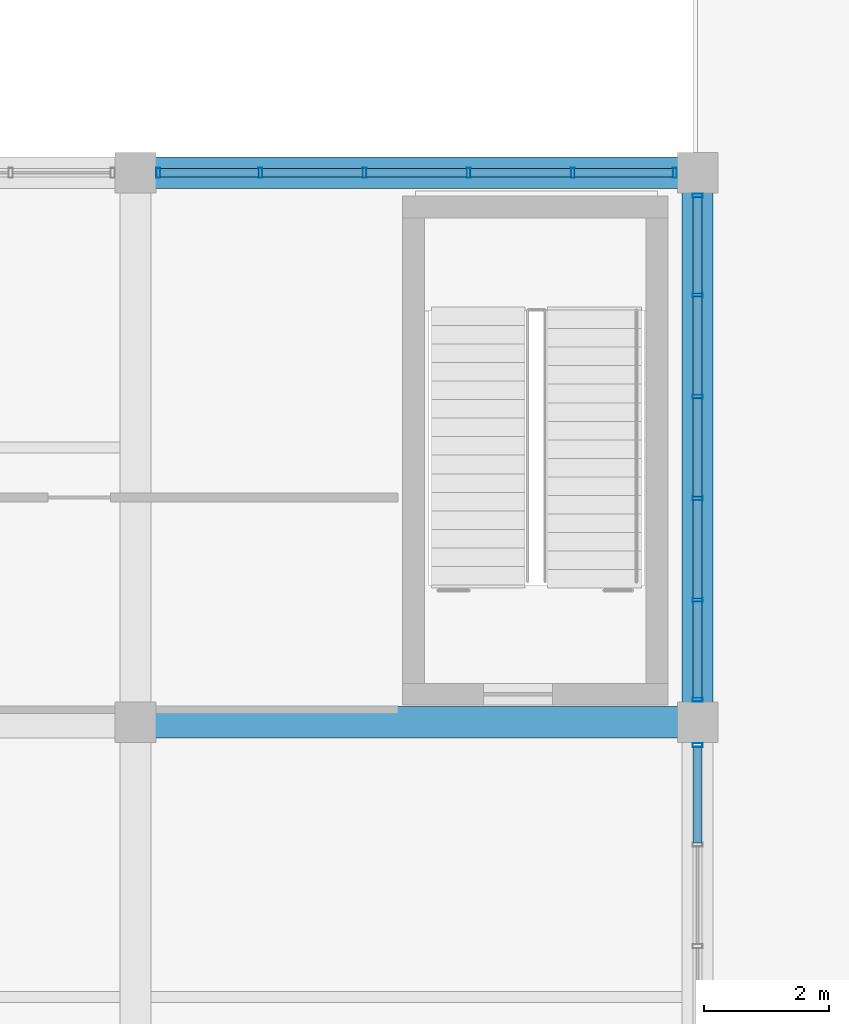
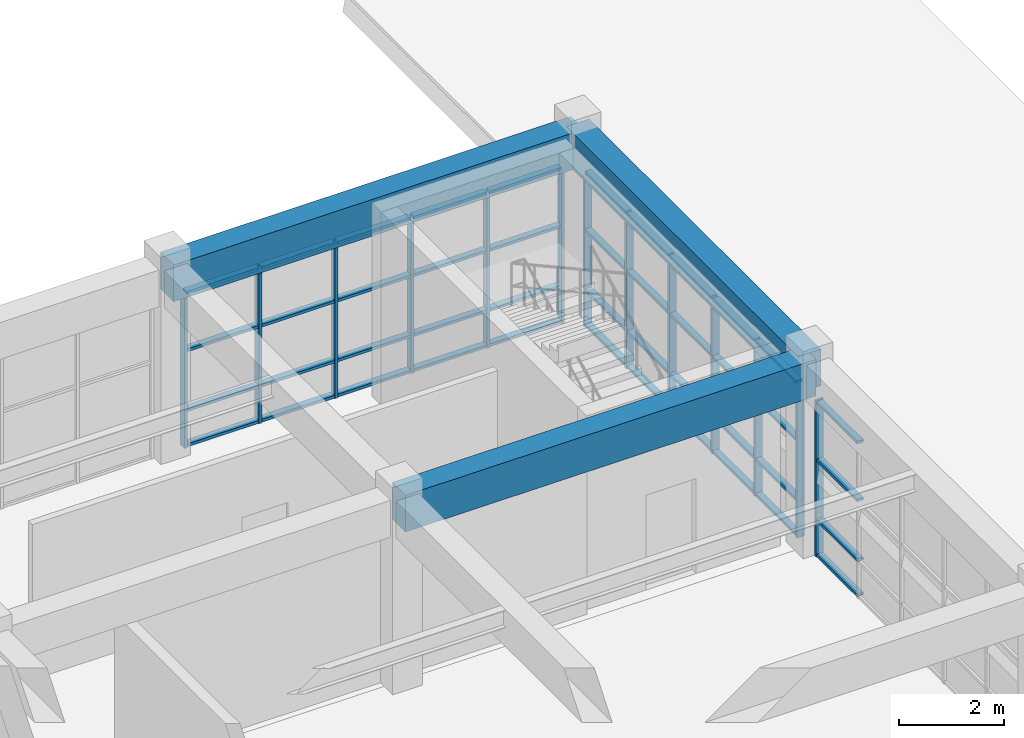
# One storey, part 14 of 99: 57 members, 3 beams, 3 elements without a shape of their own.
"""IFC4 building model written with IfcOpenShell, lengths in metres."""

import ifcopenshell
import ifcopenshell.guid

model = None  # the IFC model being written
_history = None  # IfcOwnerHistory: only IFC2X3 demands one
_inside = {}  # id of a spatial element -> (the spatial element, [elements in it])
_under = {}  # id of a project, library or spatial element -> (it, [spatial elements below it])
_declared = {}  # id of a project -> (the project, [libraries it declares])
_typed = {}  # id of a type object -> (the type object, [elements of that type])
_made_of = {}  # id of a material, layer set ... -> (it, [elements and type objects made of it])


def new_model(schema):
    """Start an empty IFC model of exactly this schema.

    Asked for "IFC4X3", IfcOpenShell would pick the latest addendum, in which some entities
    have other attributes; the version numbers below select the first issue.
    IFC2X3 requires an IfcOwnerHistory on every rooted entity: one is made here for all.
    """
    global model, _history
    if schema == "IFC4X3":
        model = ifcopenshell.file(schema_version=(4, 3, 0, 0))
    else:
        model = ifcopenshell.file(schema=schema)
    _inside.clear()
    _under.clear()
    _declared.clear()
    _typed.clear()
    _made_of.clear()
    _history = None
    if model.schema == "IFC2X3":
        org = make("IfcOrganization", Name="unknown")
        user = make(
            "IfcPersonAndOrganization",
            ThePerson=make("IfcPerson", FamilyName="unknown"),
            TheOrganization=org,
        )
        app = make(
            "IfcApplication",
            ApplicationDeveloper=org,
            Version="unknown",
            ApplicationFullName="unknown",
            ApplicationIdentifier="unknown",
        )
        _history = make(
            "IfcOwnerHistory",
            OwningUser=user,
            OwningApplication=app,
            ChangeAction="ADDED",
            CreationDate=0,
        )
    return model


def make(cls, **values):
    """One entity of the class cls with the attributes given. An attribute that is None is left unset."""
    return model.create_entity(
        cls, **{name: value for name, value in values.items() if value is not None}
    )


def rooted(cls, **values):
    """An entity with a GlobalId (a new one), such as an element, a storey or a relation."""
    return make(cls, GlobalId=ifcopenshell.guid.new(), OwnerHistory=_history, **values)


def si_unit(unit_type, name, prefix=None):
    """IfcSIUnit, for example si_unit("LENGTHUNIT", "METRE", prefix="MILLI")."""
    return make("IfcSIUnit", UnitType=unit_type, Prefix=prefix, Name=name)


def assignment(units):
    """IfcUnitAssignment: the units of a project."""
    return None if units is None else make("IfcUnitAssignment", Units=units)


def point(xyz):
    """IfcCartesianPoint."""
    return None if xyz is None else make("IfcCartesianPoint", Coordinates=xyz)


def direction(xyz):
    """IfcDirection."""
    return None if xyz is None else make("IfcDirection", DirectionRatios=xyz)


def frame(location, z_axis=None, x_axis=None):
    """IfcAxis2Placement3D, a coordinate frame: its origin and axes. An axis left out is left unset."""
    return make(
        "IfcAxis2Placement3D",
        Location=point(location),
        Axis=direction(z_axis),
        RefDirection=direction(x_axis),
    )


def frame_2d(location, x_axis=None):
    """IfcAxis2Placement2D, a coordinate frame in the plane: its origin and x axis."""
    return make(
        "IfcAxis2Placement2D", Location=point(location), RefDirection=direction(x_axis)
    )


def origin():
    """The frame at (0, 0, 0) with its axes left unset."""
    return frame((0.0, 0.0, 0.0))


def origin_2d():
    """The frame at (0, 0) in the plane with its x axis left unset."""
    return frame_2d((0.0, 0.0))


def place(relative_to, where):
    """IfcLocalPlacement: puts the frame where relative to a parent placement (None: the world)."""
    return make(
        "IfcLocalPlacement", PlacementRelTo=relative_to, RelativePlacement=where
    )


def context(
    kind, dimensions, precision=None, world=None, true_north=None, identifier=None
):
    """IfcGeometricRepresentationContext, for example the 3D "Model" context."""
    return make(
        "IfcGeometricRepresentationContext",
        ContextIdentifier=identifier,
        ContextType=kind,
        CoordinateSpaceDimension=dimensions,
        Precision=precision,
        WorldCoordinateSystem=world,
        TrueNorth=true_north,
    )


def subcontext(parent, identifier, kind, view, scale=None):
    """IfcGeometricRepresentationSubContext, for example "Body" below "Model"."""
    return make(
        "IfcGeometricRepresentationSubContext",
        ContextIdentifier=identifier,
        ContextType=kind,
        ParentContext=parent,
        TargetScale=scale,
        TargetView=view,
    )


def project(units=None, contexts=None):
    """IfcProject with its units and contexts."""
    return rooted(
        "IfcProject",
        Name="project",
        RepresentationContexts=contexts,
        UnitsInContext=assignment(units),
    )


def spatial(cls, under=None, at=None, **own):
    """A site, building, storey or space (cls), placed at a placement, below another one or the project."""
    s = rooted(cls, ObjectPlacement=at, **own)
    if under is not None:
        _under.setdefault(under.id(), (under, []))[1].append(s)
    return s


def profile(cls, at=None, kind="AREA", **sizes):
    """A parametric profile (cls). Its sizes go by their IFC names, for example OverallWidth=200.0."""
    return make(cls, ProfileType=kind, Position=at, **sizes)


def rectangle(**sizes):
    """IfcRectangleProfileDef."""
    return profile("IfcRectangleProfileDef", **sizes)


def hollow_rectangle(**sizes):
    """IfcRectangleHollowProfileDef."""
    return profile("IfcRectangleHollowProfileDef", **sizes)


def extrude(swept, where, along, depth):
    """IfcExtrudedAreaSolid: the profile swept, set in the frame where, extruded along a direction by depth."""
    return make(
        "IfcExtrudedAreaSolid",
        SweptArea=swept,
        Position=where,
        ExtrudedDirection=direction(along),
        Depth=depth,
    )


def shape(context_of_items, identifier, shape_type, items):
    """IfcShapeRepresentation: the items that make up one representation, for example the "Body"."""
    return make(
        "IfcShapeRepresentation",
        ContextOfItems=context_of_items,
        RepresentationIdentifier=identifier,
        RepresentationType=shape_type,
        Items=items,
    )


def material(Name=None, Category=None):
    """IfcMaterial."""
    return make("IfcMaterial", Name=Name, Category=Category)


def layer(
    of_material, thickness, ventilated=None, Name=None, Category=None, Priority=None
):
    """IfcMaterialLayer: one layer of a wall or slab, of a material (None: an air gap)."""
    return make(
        "IfcMaterialLayer",
        Material=of_material,
        LayerThickness=thickness,
        IsVentilated=ventilated,
        Name=Name,
        Category=Category,
        Priority=Priority,
    )


def layer_set(layers, Name=None):
    """IfcMaterialLayerSet."""
    return make("IfcMaterialLayerSet", MaterialLayers=layers, LayerSetName=Name)


def material_profile(
    of_material, cross_section, Name=None, Category=None, Priority=None
):
    """IfcMaterialProfile: a cross section and its material."""
    return make(
        "IfcMaterialProfile",
        Name=Name,
        Material=of_material,
        Profile=cross_section,
        Priority=Priority,
        Category=Category,
    )


def profile_set(profiles, Name=None, composite=None):
    """IfcMaterialProfileSet."""
    return make(
        "IfcMaterialProfileSet",
        Name=Name,
        MaterialProfiles=profiles,
        CompositeProfile=composite,
    )


def made_of(thing, what):
    """Note that an element or type object is made of a material, layer set ...; save() writes the relation."""
    if what is not None:
        _made_of.setdefault(what.id(), (what, []))[1].append(thing)
    return thing


def type_object(cls, material=None, **own):
    """A type object (cls), such as IfcWallType, which elements share."""
    return made_of(rooted(cls, **own), material)


def element(
    cls,
    number,
    at=None,
    inside=None,
    cuts=None,
    type_object=None,
    material=None,
    context=None,
    identifier="Body",
    shape_type=None,
    held_by="IfcProductDefinitionShape",
    body=None,
    shapes=None,
    **own,
):
    """One element of the class cls, such as IfcWall. Its Tag is "e" and its number.

    at: its placement. inside: the storey or other place that contains it. cuts: it is an
    opening in that element (IfcRelVoidsElement). A single representation is given by context,
    identifier, shape_type and body (its items); several are given by shapes. held_by: the class
    of the entity that holds the representations. save() writes the other relations.
    """
    e = rooted(cls, Tag="e%d" % number, ObjectPlacement=at, **own)
    if body is not None:
        shapes = [shape(context, identifier, shape_type, body)]
    if shapes is not None:
        e.Representation = make(held_by, Representations=shapes)
    if inside is not None:
        _inside.setdefault(inside.id(), (inside, []))[1].append(e)
    if cuts is not None:
        rooted(
            "IfcRelVoidsElement", RelatingBuildingElement=cuts, RelatedOpeningElement=e
        )
    if type_object is not None:
        _typed.setdefault(type_object.id(), (type_object, []))[1].append(e)
    return made_of(e, material)


def aggregate(whole, parts):
    """IfcRelAggregates: a whole, such as a stair, and the parts it consists of."""
    return rooted("IfcRelAggregates", RelatingObject=whole, RelatedObjects=parts)


def save(model, path):
    """Write the relations noted so far, then the file.

    IfcRelAggregates (storeys below a building ...), IfcRelContainedInSpatialStructure (elements
    in a storey), IfcRelDefinesByType, IfcRelAssociatesMaterial and IfcRelDeclares: one each for
    every whole, place, type object, material and project.
    """
    for whole, parts in _under.values():
        aggregate(whole, parts)
    for where, things in _inside.values():
        rooted(
            "IfcRelContainedInSpatialStructure",
            RelatedElements=things,
            RelatingStructure=where,
        )
    for kind, things in _typed.values():
        rooted("IfcRelDefinesByType", RelatedObjects=things, RelatingType=kind)
    for what, things in _made_of.values():
        rooted("IfcRelAssociatesMaterial", RelatedObjects=things, RelatingMaterial=what)
    for by, libraries in _declared.values():
        rooted("IfcRelDeclares", RelatingContext=by, RelatedDefinitions=libraries)
    model.write(path)


model = new_model("IFC4")

# Units and contexts
model_context = context("Model", 3, precision=1e-05, world=origin(), true_north=direction((0.0, 1.0)))
body_context = subcontext(model_context, "Body", "Model", "MODEL_VIEW")
ifc_project = project(units=[si_unit("LENGTHUNIT", "METRE"), si_unit("AREAUNIT", "SQUARE_METRE"), si_unit("VOLUMEUNIT", "CUBIC_METRE"), si_unit("PLANEANGLEUNIT", "RADIAN"), si_unit("MASSUNIT", "GRAM", prefix="KILO")], contexts=[model_context])

# Site, building, storey
site_placement = place(None, origin())
site = spatial("IfcSite", under=ifc_project, at=site_placement, CompositionType="ELEMENT")
building_placement = place(site_placement, origin())
building = spatial("IfcBuilding", under=site, at=building_placement, Name="Ventoquebrada Cableway Terminal", CompositionType="ELEMENT")
storey_placement = place(building_placement, frame((0.0, 0.0, 9.60009765625)))
storey = spatial("IfcBuildingStorey", under=building, at=storey_placement, Name="L02", CompositionType="ELEMENT", Elevation=9.60009765625)

# Beams
ifc_material_1 = material(Name="Concrete C40/50", Category="concrete")
ifc_material_profile_1 = material_profile(ifc_material_1, rectangle(XDim=0.5, YDim=0.85009765625, at=origin_2d()), Name="RC-BM-500X850")
ifc_profile_set_1 = profile_set([ifc_material_profile_1], Name="Concrete C40/50")
beam_type = type_object("IfcBeamType", Name="BM-RC04", PredefinedType="BEAM", material=ifc_profile_set_1)
for number, where, z_axis, x_axis, name in (
    (1, (17.199951171875, 29.39990234375, 4.039794921875), (1.0, 0.0, 0.0), (0.0, 1.0, 0.0), "Primary frame girder FBM-0211"),
    (2, (17.199951171875, 38.199951171875, 4.039794921875), (1.0, 0.0, 0.0), (0.0, 1.0, 0.0), "Primary frame girder FBM-0214"),
):
    element("IfcBeam", number, at=place(storey_placement, frame(where, z_axis=z_axis, x_axis=x_axis)), inside=storey, type_object=beam_type, Name=name, PredefinedType="BEAM", context=body_context, shape_type="SweptSolid", body=[
        extrude(rectangle(XDim=0.5, YDim=0.85009765625, at=origin_2d()), origin(), (0.0, 0.0, 1.0), 9.0),
    ])
beam_placement = place(storey_placement, frame((26.199951171875, 29.39990234375, 4.039794921875), z_axis=(0.0, 1.0, 0.0), x_axis=(-1.0, 0.0, 0.0)))
element("IfcBeam", 3, at=beam_placement, inside=storey, type_object=beam_type, Name="Primary frame girder FBM-0228", PredefinedType="BEAM", context=body_context, shape_type="SweptSolid", body=[
    extrude(rectangle(XDim=0.5, YDim=0.85009765625, at=origin_2d()), origin(), (0.0, 0.0, 1.0), 8.800048828125),
])

# Curtain wall, member
ifc_material_2 = material(Name="Anodized thermally-broken aluminium", Category="aluminium")
ifc_layer_1 = layer(ifc_material_2, 0.159912109375)
ifc_layer_set_1 = layer_set([ifc_layer_1], Name="Anodized thermally-broken aluminium")
curtain_wall_type_1 = type_object("IfcCurtainWallType", Name="CW-T07", PredefinedType="USERDEFINED", material=ifc_layer_set_1)
curtain_wall_1_placement = place(storey_placement, origin())
curtain_wall_1 = element("IfcCurtainWall", 4, at=curtain_wall_1_placement, inside=storey, type_object=curtain_wall_type_1, Name="Unitised glazed curtain wall CW-015", ObjectType="UNITISED CURTAIN WALL", PredefinedType="USERDEFINED")
ifc_material_profile_2 = material_profile(ifc_material_2, hollow_rectangle(XDim=0.06494140625, YDim=0.159912109375, WallThickness=0.00390625, at=origin_2d()), Name="CW-MUL-65X160")
ifc_profile_set_2 = profile_set([ifc_material_profile_2], Name="Anodized thermally-broken aluminium")
member_type_1 = type_object("IfcMemberType", Name="CWM-01", PredefinedType="MULLION", material=ifc_profile_set_2)
member_1_placement = place(storey_placement, frame((26.199951171875, 29.034912109375, -0.008056640625), z_axis=(0.0, 0.0, 1.0), x_axis=(0.0, 1.0, 0.0)))
member_1 = element("IfcMember", 5, at=member_1_placement, type_object=member_type_1, Name="Curtain wall mullion FML-0067", PredefinedType="MULLION", context=body_context, shape_type="SweptSolid", body=[
    extrude(hollow_rectangle(XDim=0.06494140625, YDim=0.159912109375, WallThickness=0.00390625, at=origin_2d()), origin(), (0.0, 0.0, 1.0), 3.623046875),
])

# Curtain wall, members
curtain_wall_2_placement = place(storey_placement, origin())
curtain_wall_2 = element("IfcCurtainWall", 6, at=curtain_wall_2_placement, inside=storey, type_object=curtain_wall_type_1, Name="Unitised glazed curtain wall CW-016", ObjectType="UNITISED CURTAIN WALL", PredefinedType="USERDEFINED")
member_2_placement = place(storey_placement, frame((26.199951171875, 29.764892578125, -0.008056640625), z_axis=(0.0, 0.0, 1.0), x_axis=(0.0, 1.0, 0.0)))
member_2 = element("IfcMember", 7, at=member_2_placement, type_object=member_type_1, Name="Curtain wall mullion FML-0068", PredefinedType="MULLION", context=body_context, shape_type="SweptSolid", body=[
    extrude(hollow_rectangle(XDim=0.06494140625, YDim=0.159912109375, WallThickness=0.00390625, at=origin_2d()), origin(), (0.0, 0.0, 1.0), 3.623046875),
])
member_3_placement = place(storey_placement, frame((26.199951171875, 31.35791015625, -0.008056640625), z_axis=(0.0, 0.0, 1.0), x_axis=(0.0, 1.0, 0.0)))
member_3 = element("IfcMember", 8, at=member_3_placement, type_object=member_type_1, Name="Curtain wall mullion FML-0069", PredefinedType="MULLION", context=body_context, shape_type="SweptSolid", body=[
    extrude(hollow_rectangle(XDim=0.06494140625, YDim=0.159912109375, WallThickness=0.00390625, at=origin_2d()), origin(), (0.0, 0.0, 1.0), 3.623046875),
])
member_4_placement = place(storey_placement, frame((26.199951171875, 32.986083984375, -0.008056640625), z_axis=(0.0, 0.0, 1.0), x_axis=(0.0, 1.0, 0.0)))
member_4 = element("IfcMember", 9, at=member_4_placement, type_object=member_type_1, Name="Curtain wall mullion FML-0070", PredefinedType="MULLION", context=body_context, shape_type="SweptSolid", body=[
    extrude(hollow_rectangle(XDim=0.06494140625, YDim=0.159912109375, WallThickness=0.00390625, at=origin_2d()), origin(), (0.0, 0.0, 1.0), 3.623046875),
])
member_5_placement = place(storey_placement, frame((26.199951171875, 34.614013671875, -0.008056640625), z_axis=(0.0, 0.0, 1.0), x_axis=(0.0, 1.0, 0.0)))
member_5 = element("IfcMember", 10, at=member_5_placement, type_object=member_type_1, Name="Curtain wall mullion FML-0071", PredefinedType="MULLION", context=body_context, shape_type="SweptSolid", body=[
    extrude(hollow_rectangle(XDim=0.06494140625, YDim=0.159912109375, WallThickness=0.00390625, at=origin_2d()), origin(), (0.0, 0.0, 1.0), 3.623046875),
])
member_6_placement = place(storey_placement, frame((26.199951171875, 36.241943359375, -0.008056640625), z_axis=(0.0, 0.0, 1.0), x_axis=(0.0, 1.0, 0.0)))
member_6 = element("IfcMember", 11, at=member_6_placement, type_object=member_type_1, Name="Curtain wall mullion FML-0072", PredefinedType="MULLION", context=body_context, shape_type="SweptSolid", body=[
    extrude(hollow_rectangle(XDim=0.06494140625, YDim=0.159912109375, WallThickness=0.00390625, at=origin_2d()), origin(), (0.0, 0.0, 1.0), 3.623046875),
])
member_7_placement = place(storey_placement, frame((26.199951171875, 37.8349609375, -0.008056640625), z_axis=(0.0, 0.0, 1.0), x_axis=(0.0, 1.0, 0.0)))
member_7 = element("IfcMember", 12, at=member_7_placement, type_object=member_type_1, Name="Curtain wall mullion FML-0073", PredefinedType="MULLION", context=body_context, shape_type="SweptSolid", body=[
    extrude(hollow_rectangle(XDim=0.06494140625, YDim=0.159912109375, WallThickness=0.00390625, at=origin_2d()), origin(), (0.0, 0.0, 1.0), 3.623046875),
])

ifc_layer_2 = layer(ifc_material_2, 0.159912109375)
ifc_layer_set_2 = layer_set([ifc_layer_2], Name="Anodized thermally-broken aluminium")
curtain_wall_type_2 = type_object("IfcCurtainWallType", Name="CW-T09", PredefinedType="USERDEFINED", material=ifc_layer_set_2)
curtain_wall_3_placement = place(storey_placement, origin())
curtain_wall_3 = element("IfcCurtainWall", 13, at=curtain_wall_3_placement, inside=storey, type_object=curtain_wall_type_2, Name="Unitised glazed curtain wall CW-019", ObjectType="UNITISED CURTAIN WALL", PredefinedType="USERDEFINED")
member_8_placement = place(storey_placement, frame((25.8349609375, 38.199951171875, -0.008056640625), z_axis=(0.0, 0.0, 1.0), x_axis=(-1.0, 0.0, 0.0)))
member_8 = element("IfcMember", 14, at=member_8_placement, type_object=member_type_1, Name="Curtain wall mullion FML-0084", PredefinedType="MULLION", context=body_context, shape_type="SweptSolid", body=[
    extrude(hollow_rectangle(XDim=0.06494140625, YDim=0.159912109375, WallThickness=0.00390625, at=origin_2d()), origin(), (0.0, 0.0, 1.0), 3.623046875),
])
member_9_placement = place(storey_placement, frame((24.201904296875, 38.199951171875, -0.008056640625), z_axis=(0.0, 0.0, 1.0), x_axis=(-1.0, 0.0, 0.0)))
member_9 = element("IfcMember", 15, at=member_9_placement, type_object=member_type_1, Name="Curtain wall mullion FML-0085", PredefinedType="MULLION", context=body_context, shape_type="SweptSolid", body=[
    extrude(hollow_rectangle(XDim=0.06494140625, YDim=0.159912109375, WallThickness=0.00390625, at=origin_2d()), origin(), (0.0, 0.0, 1.0), 3.623046875),
])
member_10_placement = place(storey_placement, frame((22.533935546875, 38.199951171875, -0.008056640625), z_axis=(0.0, 0.0, 1.0), x_axis=(-1.0, 0.0, 0.0)))
member_10 = element("IfcMember", 16, at=member_10_placement, type_object=member_type_1, Name="Curtain wall mullion FML-0086", PredefinedType="MULLION", context=body_context, shape_type="SweptSolid", body=[
    extrude(hollow_rectangle(XDim=0.06494140625, YDim=0.159912109375, WallThickness=0.00390625, at=origin_2d()), origin(), (0.0, 0.0, 1.0), 3.623046875),
])
member_11_placement = place(storey_placement, frame((20.865966796875, 38.199951171875, -0.008056640625), z_axis=(0.0, 0.0, 1.0), x_axis=(-1.0, 0.0, 0.0)))
member_11 = element("IfcMember", 17, at=member_11_placement, type_object=member_type_1, Name="Curtain wall mullion FML-0087", PredefinedType="MULLION", context=body_context, shape_type="SweptSolid", body=[
    extrude(hollow_rectangle(XDim=0.06494140625, YDim=0.159912109375, WallThickness=0.00390625, at=origin_2d()), origin(), (0.0, 0.0, 1.0), 3.623046875),
])
member_12_placement = place(storey_placement, frame((19.197998046875, 38.199951171875, -0.008056640625), z_axis=(0.0, 0.0, 1.0), x_axis=(-1.0, 0.0, 0.0)))
member_12 = element("IfcMember", 18, at=member_12_placement, type_object=member_type_1, Name="Curtain wall mullion FML-0088", PredefinedType="MULLION", context=body_context, shape_type="SweptSolid", body=[
    extrude(hollow_rectangle(XDim=0.06494140625, YDim=0.159912109375, WallThickness=0.00390625, at=origin_2d()), origin(), (0.0, 0.0, 1.0), 3.623046875),
])
member_13_placement = place(storey_placement, frame((17.56494140625, 38.199951171875, -0.008056640625), z_axis=(0.0, 0.0, 1.0), x_axis=(-1.0, 0.0, 0.0)))
member_13 = element("IfcMember", 19, at=member_13_placement, type_object=member_type_1, Name="Curtain wall mullion FML-0089", PredefinedType="MULLION", context=body_context, shape_type="SweptSolid", body=[
    extrude(hollow_rectangle(XDim=0.06494140625, YDim=0.159912109375, WallThickness=0.00390625, at=origin_2d()), origin(), (0.0, 0.0, 1.0), 3.623046875),
])

# Member
ifc_material_profile_3 = material_profile(ifc_material_2, hollow_rectangle(XDim=0.06494140625, YDim=0.139892578125, WallThickness=0.00390625, at=origin_2d()), Name="CW-TRN-65X140")
ifc_profile_set_3 = profile_set([ifc_material_profile_3], Name="Anodized thermally-broken aluminium")
member_type_2 = type_object("IfcMemberType", Name="CWT-01", PredefinedType="USERDEFINED", material=ifc_profile_set_3)
member_14_placement = place(storey_placement, frame((26.199951171875, 27.469970703125, 0.034912109375), z_axis=(0.0, 1.0, 0.0), x_axis=(0.0, 0.0, 1.0)))
member_14 = element("IfcMember", 20, at=member_14_placement, type_object=member_type_2, Name="Curtain wall transom FTR-0196", ObjectType="TRANSOM", PredefinedType="USERDEFINED", context=body_context, shape_type="SweptSolid", body=[
    extrude(hollow_rectangle(XDim=0.06494140625, YDim=0.139892578125, WallThickness=0.00390625, at=origin_2d()), origin(), (0.0, 0.0, 1.0), 1.5380859375),
])

member_15_placement = place(storey_placement, frame((26.199951171875, 27.469970703125, 0.849853515625), z_axis=(0.0, 1.0, 0.0), x_axis=(0.0, 0.0, 1.0)))
member_15 = element("IfcMember", 21, at=member_15_placement, type_object=member_type_2, Name="Curtain wall transom FTR-0197", ObjectType="TRANSOM", PredefinedType="USERDEFINED", context=body_context, shape_type="SweptSolid", body=[
    extrude(hollow_rectangle(XDim=0.06494140625, YDim=0.139892578125, WallThickness=0.00390625, at=origin_2d()), origin(), (0.0, 0.0, 1.0), 1.5380859375),
])

member_16_placement = place(storey_placement, frame((26.199951171875, 27.469970703125, 2.23779296875), z_axis=(0.0, 1.0, 0.0), x_axis=(0.0, 0.0, 1.0)))
member_16 = element("IfcMember", 22, at=member_16_placement, type_object=member_type_2, Name="Curtain wall transom FTR-0198", ObjectType="TRANSOM", PredefinedType="USERDEFINED", context=body_context, shape_type="SweptSolid", body=[
    extrude(hollow_rectangle(XDim=0.06494140625, YDim=0.139892578125, WallThickness=0.00390625, at=origin_2d()), origin(), (0.0, 0.0, 1.0), 1.5380859375),
])

member_17_placement = place(storey_placement, frame((26.199951171875, 27.469970703125, 3.574951171875), z_axis=(0.0, 1.0, 0.0), x_axis=(0.0, 0.0, 1.0)))
member_17 = element("IfcMember", 23, at=member_17_placement, type_object=member_type_2, Name="Curtain wall transom FTR-0199", ObjectType="TRANSOM", PredefinedType="USERDEFINED", context=body_context, shape_type="SweptSolid", body=[
    extrude(hollow_rectangle(XDim=0.06494140625, YDim=0.139892578125, WallThickness=0.00390625, at=origin_2d()), origin(), (0.0, 0.0, 1.0), 1.5380859375),
])

aggregate(curtain_wall_1, [member_1, member_14, member_15, member_16, member_17])

member_18_placement = place(storey_placement, frame((26.199951171875, 29.79296875, 0.034912109375), z_axis=(0.0, 1.0, 0.0), x_axis=(0.0, 0.0, 1.0)))
member_18 = element("IfcMember", 24, at=member_18_placement, type_object=member_type_2, Name="Curtain wall transom FTR-0200", ObjectType="TRANSOM", PredefinedType="USERDEFINED", context=body_context, shape_type="SweptSolid", body=[
    extrude(hollow_rectangle(XDim=0.06494140625, YDim=0.139892578125, WallThickness=0.00390625, at=origin_2d()), origin(), (0.0, 0.0, 1.0), 1.5380859375),
])

member_19_placement = place(storey_placement, frame((26.199951171875, 29.79296875, 0.849853515625), z_axis=(0.0, 1.0, 0.0), x_axis=(0.0, 0.0, 1.0)))
member_19 = element("IfcMember", 25, at=member_19_placement, type_object=member_type_2, Name="Curtain wall transom FTR-0201", ObjectType="TRANSOM", PredefinedType="USERDEFINED", context=body_context, shape_type="SweptSolid", body=[
    extrude(hollow_rectangle(XDim=0.06494140625, YDim=0.139892578125, WallThickness=0.00390625, at=origin_2d()), origin(), (0.0, 0.0, 1.0), 1.5380859375),
])

member_20_placement = place(storey_placement, frame((26.199951171875, 29.79296875, 2.23779296875), z_axis=(0.0, 1.0, 0.0), x_axis=(0.0, 0.0, 1.0)))
member_20 = element("IfcMember", 26, at=member_20_placement, type_object=member_type_2, Name="Curtain wall transom FTR-0202", ObjectType="TRANSOM", PredefinedType="USERDEFINED", context=body_context, shape_type="SweptSolid", body=[
    extrude(hollow_rectangle(XDim=0.06494140625, YDim=0.139892578125, WallThickness=0.00390625, at=origin_2d()), origin(), (0.0, 0.0, 1.0), 1.5380859375),
])

member_21_placement = place(storey_placement, frame((26.199951171875, 29.79296875, 3.574951171875), z_axis=(0.0, 1.0, 0.0), x_axis=(0.0, 0.0, 1.0)))
member_21 = element("IfcMember", 27, at=member_21_placement, type_object=member_type_2, Name="Curtain wall transom FTR-0203", ObjectType="TRANSOM", PredefinedType="USERDEFINED", context=body_context, shape_type="SweptSolid", body=[
    extrude(hollow_rectangle(XDim=0.06494140625, YDim=0.139892578125, WallThickness=0.00390625, at=origin_2d()), origin(), (0.0, 0.0, 1.0), 1.5380859375),
])

member_22_placement = place(storey_placement, frame((26.199951171875, 31.385986328125, 0.034912109375), z_axis=(0.0, 1.0, 0.0), x_axis=(0.0, 0.0, 1.0)))
member_22 = element("IfcMember", 28, at=member_22_placement, type_object=member_type_2, Name="Curtain wall transom FTR-0204", ObjectType="TRANSOM", PredefinedType="USERDEFINED", context=body_context, shape_type="SweptSolid", body=[
    extrude(hollow_rectangle(XDim=0.06494140625, YDim=0.139892578125, WallThickness=0.00390625, at=origin_2d()), origin(), (0.0, 0.0, 1.0), 1.572998046875),
])

member_23_placement = place(storey_placement, frame((26.199951171875, 31.385986328125, 0.849853515625), z_axis=(0.0, 1.0, 0.0), x_axis=(0.0, 0.0, 1.0)))
member_23 = element("IfcMember", 29, at=member_23_placement, type_object=member_type_2, Name="Curtain wall transom FTR-0205", ObjectType="TRANSOM", PredefinedType="USERDEFINED", context=body_context, shape_type="SweptSolid", body=[
    extrude(hollow_rectangle(XDim=0.06494140625, YDim=0.139892578125, WallThickness=0.00390625, at=origin_2d()), origin(), (0.0, 0.0, 1.0), 1.572998046875),
])

member_24_placement = place(storey_placement, frame((26.199951171875, 31.385986328125, 2.23779296875), z_axis=(0.0, 1.0, 0.0), x_axis=(0.0, 0.0, 1.0)))
member_24 = element("IfcMember", 30, at=member_24_placement, type_object=member_type_2, Name="Curtain wall transom FTR-0206", ObjectType="TRANSOM", PredefinedType="USERDEFINED", context=body_context, shape_type="SweptSolid", body=[
    extrude(hollow_rectangle(XDim=0.06494140625, YDim=0.139892578125, WallThickness=0.00390625, at=origin_2d()), origin(), (0.0, 0.0, 1.0), 1.572998046875),
])

member_25_placement = place(storey_placement, frame((26.199951171875, 31.385986328125, 3.574951171875), z_axis=(0.0, 1.0, 0.0), x_axis=(0.0, 0.0, 1.0)))
member_25 = element("IfcMember", 31, at=member_25_placement, type_object=member_type_2, Name="Curtain wall transom FTR-0207", ObjectType="TRANSOM", PredefinedType="USERDEFINED", context=body_context, shape_type="SweptSolid", body=[
    extrude(hollow_rectangle(XDim=0.06494140625, YDim=0.139892578125, WallThickness=0.00390625, at=origin_2d()), origin(), (0.0, 0.0, 1.0), 1.572998046875),
])

member_26_placement = place(storey_placement, frame((26.199951171875, 33.013916015625, 0.034912109375), z_axis=(0.0, 1.0, 0.0), x_axis=(0.0, 0.0, 1.0)))
member_26 = element("IfcMember", 32, at=member_26_placement, type_object=member_type_2, Name="Curtain wall transom FTR-0208", ObjectType="TRANSOM", PredefinedType="USERDEFINED", context=body_context, shape_type="SweptSolid", body=[
    extrude(hollow_rectangle(XDim=0.06494140625, YDim=0.139892578125, WallThickness=0.00390625, at=origin_2d()), origin(), (0.0, 0.0, 1.0), 1.572998046875),
])

member_27_placement = place(storey_placement, frame((26.199951171875, 33.013916015625, 0.849853515625), z_axis=(0.0, 1.0, 0.0), x_axis=(0.0, 0.0, 1.0)))
member_27 = element("IfcMember", 33, at=member_27_placement, type_object=member_type_2, Name="Curtain wall transom FTR-0209", ObjectType="TRANSOM", PredefinedType="USERDEFINED", context=body_context, shape_type="SweptSolid", body=[
    extrude(hollow_rectangle(XDim=0.06494140625, YDim=0.139892578125, WallThickness=0.00390625, at=origin_2d()), origin(), (0.0, 0.0, 1.0), 1.572998046875),
])

member_28_placement = place(storey_placement, frame((26.199951171875, 33.013916015625, 2.23779296875), z_axis=(0.0, 1.0, 0.0), x_axis=(0.0, 0.0, 1.0)))
member_28 = element("IfcMember", 34, at=member_28_placement, type_object=member_type_2, Name="Curtain wall transom FTR-0210", ObjectType="TRANSOM", PredefinedType="USERDEFINED", context=body_context, shape_type="SweptSolid", body=[
    extrude(hollow_rectangle(XDim=0.06494140625, YDim=0.139892578125, WallThickness=0.00390625, at=origin_2d()), origin(), (0.0, 0.0, 1.0), 1.572998046875),
])

member_29_placement = place(storey_placement, frame((26.199951171875, 33.013916015625, 3.574951171875), z_axis=(0.0, 1.0, 0.0), x_axis=(0.0, 0.0, 1.0)))
member_29 = element("IfcMember", 35, at=member_29_placement, type_object=member_type_2, Name="Curtain wall transom FTR-0211", ObjectType="TRANSOM", PredefinedType="USERDEFINED", context=body_context, shape_type="SweptSolid", body=[
    extrude(hollow_rectangle(XDim=0.06494140625, YDim=0.139892578125, WallThickness=0.00390625, at=origin_2d()), origin(), (0.0, 0.0, 1.0), 1.572998046875),
])

member_30_placement = place(storey_placement, frame((26.199951171875, 34.64208984375, 0.034912109375), z_axis=(0.0, 1.0, 0.0), x_axis=(0.0, 0.0, 1.0)))
member_30 = element("IfcMember", 36, at=member_30_placement, type_object=member_type_2, Name="Curtain wall transom FTR-0212", ObjectType="TRANSOM", PredefinedType="USERDEFINED", context=body_context, shape_type="SweptSolid", body=[
    extrude(hollow_rectangle(XDim=0.06494140625, YDim=0.139892578125, WallThickness=0.00390625, at=origin_2d()), origin(), (0.0, 0.0, 1.0), 1.572998046875),
])

member_31_placement = place(storey_placement, frame((26.199951171875, 34.64208984375, 0.849853515625), z_axis=(0.0, 1.0, 0.0), x_axis=(0.0, 0.0, 1.0)))
member_31 = element("IfcMember", 37, at=member_31_placement, type_object=member_type_2, Name="Curtain wall transom FTR-0213", ObjectType="TRANSOM", PredefinedType="USERDEFINED", context=body_context, shape_type="SweptSolid", body=[
    extrude(hollow_rectangle(XDim=0.06494140625, YDim=0.139892578125, WallThickness=0.00390625, at=origin_2d()), origin(), (0.0, 0.0, 1.0), 1.572998046875),
])

member_32_placement = place(storey_placement, frame((26.199951171875, 34.64208984375, 2.23779296875), z_axis=(0.0, 1.0, 0.0), x_axis=(0.0, 0.0, 1.0)))
member_32 = element("IfcMember", 38, at=member_32_placement, type_object=member_type_2, Name="Curtain wall transom FTR-0214", ObjectType="TRANSOM", PredefinedType="USERDEFINED", context=body_context, shape_type="SweptSolid", body=[
    extrude(hollow_rectangle(XDim=0.06494140625, YDim=0.139892578125, WallThickness=0.00390625, at=origin_2d()), origin(), (0.0, 0.0, 1.0), 1.572998046875),
])

member_33_placement = place(storey_placement, frame((26.199951171875, 34.64208984375, 3.574951171875), z_axis=(0.0, 1.0, 0.0), x_axis=(0.0, 0.0, 1.0)))
member_33 = element("IfcMember", 39, at=member_33_placement, type_object=member_type_2, Name="Curtain wall transom FTR-0215", ObjectType="TRANSOM", PredefinedType="USERDEFINED", context=body_context, shape_type="SweptSolid", body=[
    extrude(hollow_rectangle(XDim=0.06494140625, YDim=0.139892578125, WallThickness=0.00390625, at=origin_2d()), origin(), (0.0, 0.0, 1.0), 1.572998046875),
])

member_34_placement = place(storey_placement, frame((26.199951171875, 36.27001953125, 0.034912109375), z_axis=(0.0, 1.0, 0.0), x_axis=(0.0, 0.0, 1.0)))
member_34 = element("IfcMember", 40, at=member_34_placement, type_object=member_type_2, Name="Curtain wall transom FTR-0216", ObjectType="TRANSOM", PredefinedType="USERDEFINED", context=body_context, shape_type="SweptSolid", body=[
    extrude(hollow_rectangle(XDim=0.06494140625, YDim=0.139892578125, WallThickness=0.00390625, at=origin_2d()), origin(), (0.0, 0.0, 1.0), 1.536865234375),
])

member_35_placement = place(storey_placement, frame((26.199951171875, 36.27001953125, 0.849853515625), z_axis=(0.0, 1.0, 0.0), x_axis=(0.0, 0.0, 1.0)))
member_35 = element("IfcMember", 41, at=member_35_placement, type_object=member_type_2, Name="Curtain wall transom FTR-0217", ObjectType="TRANSOM", PredefinedType="USERDEFINED", context=body_context, shape_type="SweptSolid", body=[
    extrude(hollow_rectangle(XDim=0.06494140625, YDim=0.139892578125, WallThickness=0.00390625, at=origin_2d()), origin(), (0.0, 0.0, 1.0), 1.536865234375),
])

member_36_placement = place(storey_placement, frame((26.199951171875, 36.27001953125, 2.23779296875), z_axis=(0.0, 1.0, 0.0), x_axis=(0.0, 0.0, 1.0)))
member_36 = element("IfcMember", 42, at=member_36_placement, type_object=member_type_2, Name="Curtain wall transom FTR-0218", ObjectType="TRANSOM", PredefinedType="USERDEFINED", context=body_context, shape_type="SweptSolid", body=[
    extrude(hollow_rectangle(XDim=0.06494140625, YDim=0.139892578125, WallThickness=0.00390625, at=origin_2d()), origin(), (0.0, 0.0, 1.0), 1.536865234375),
])

member_37_placement = place(storey_placement, frame((26.199951171875, 36.27001953125, 3.574951171875), z_axis=(0.0, 1.0, 0.0), x_axis=(0.0, 0.0, 1.0)))
member_37 = element("IfcMember", 43, at=member_37_placement, type_object=member_type_2, Name="Curtain wall transom FTR-0219", ObjectType="TRANSOM", PredefinedType="USERDEFINED", context=body_context, shape_type="SweptSolid", body=[
    extrude(hollow_rectangle(XDim=0.06494140625, YDim=0.139892578125, WallThickness=0.00390625, at=origin_2d()), origin(), (0.0, 0.0, 1.0), 1.536865234375),
])

aggregate(curtain_wall_2, [member_2, member_3, member_4, member_5, member_6, member_7, member_18, member_19, member_20, member_21, member_22, member_23, member_24, member_25, member_26, member_27, member_28, member_29, member_30, member_31, member_32, member_33, member_34, member_35, member_36, member_37])

member_38_placement = place(storey_placement, frame((25.80810546875, 38.199951171875, 0.034912109375), z_axis=(-1.0, 0.0, 0.0), x_axis=(0.0, 0.0, 1.0)))
member_38 = element("IfcMember", 44, at=member_38_placement, type_object=member_type_2, Name="Curtain wall transom FTR-0252", ObjectType="TRANSOM", PredefinedType="USERDEFINED", context=body_context, shape_type="SweptSolid", body=[
    extrude(hollow_rectangle(XDim=0.06494140625, YDim=0.139892578125, WallThickness=0.00390625, at=origin_2d()), origin(), (0.0, 0.0, 1.0), 1.578125),
])

member_39_placement = place(storey_placement, frame((25.80810546875, 38.199951171875, 0.849853515625), z_axis=(-1.0, 0.0, 0.0), x_axis=(0.0, 0.0, 1.0)))
member_39 = element("IfcMember", 45, at=member_39_placement, type_object=member_type_2, Name="Curtain wall transom FTR-0253", ObjectType="TRANSOM", PredefinedType="USERDEFINED", context=body_context, shape_type="SweptSolid", body=[
    extrude(hollow_rectangle(XDim=0.06494140625, YDim=0.139892578125, WallThickness=0.00390625, at=origin_2d()), origin(), (0.0, 0.0, 1.0), 1.578125),
])

member_40_placement = place(storey_placement, frame((25.80810546875, 38.199951171875, 2.23779296875), z_axis=(-1.0, 0.0, 0.0), x_axis=(0.0, 0.0, 1.0)))
member_40 = element("IfcMember", 46, at=member_40_placement, type_object=member_type_2, Name="Curtain wall transom FTR-0254", ObjectType="TRANSOM", PredefinedType="USERDEFINED", context=body_context, shape_type="SweptSolid", body=[
    extrude(hollow_rectangle(XDim=0.06494140625, YDim=0.139892578125, WallThickness=0.00390625, at=origin_2d()), origin(), (0.0, 0.0, 1.0), 1.578125),
])

member_41_placement = place(storey_placement, frame((25.80810546875, 38.199951171875, 3.574951171875), z_axis=(-1.0, 0.0, 0.0), x_axis=(0.0, 0.0, 1.0)))
member_41 = element("IfcMember", 47, at=member_41_placement, type_object=member_type_2, Name="Curtain wall transom FTR-0255", ObjectType="TRANSOM", PredefinedType="USERDEFINED", context=body_context, shape_type="SweptSolid", body=[
    extrude(hollow_rectangle(XDim=0.06494140625, YDim=0.139892578125, WallThickness=0.00390625, at=origin_2d()), origin(), (0.0, 0.0, 1.0), 1.578125),
])

member_42_placement = place(storey_placement, frame((24.175048828125, 38.199951171875, 0.034912109375), z_axis=(-1.0, 0.0, 0.0), x_axis=(0.0, 0.0, 1.0)))
member_42 = element("IfcMember", 48, at=member_42_placement, type_object=member_type_2, Name="Curtain wall transom FTR-0256", ObjectType="TRANSOM", PredefinedType="USERDEFINED", context=body_context, shape_type="SweptSolid", body=[
    extrude(hollow_rectangle(XDim=0.06494140625, YDim=0.139892578125, WallThickness=0.00390625, at=origin_2d()), origin(), (0.0, 0.0, 1.0), 1.613037109375),
])

member_43_placement = place(storey_placement, frame((24.175048828125, 38.199951171875, 0.849853515625), z_axis=(-1.0, 0.0, 0.0), x_axis=(0.0, 0.0, 1.0)))
member_43 = element("IfcMember", 49, at=member_43_placement, type_object=member_type_2, Name="Curtain wall transom FTR-0257", ObjectType="TRANSOM", PredefinedType="USERDEFINED", context=body_context, shape_type="SweptSolid", body=[
    extrude(hollow_rectangle(XDim=0.06494140625, YDim=0.139892578125, WallThickness=0.00390625, at=origin_2d()), origin(), (0.0, 0.0, 1.0), 1.613037109375),
])

member_44_placement = place(storey_placement, frame((24.175048828125, 38.199951171875, 2.23779296875), z_axis=(-1.0, 0.0, 0.0), x_axis=(0.0, 0.0, 1.0)))
member_44 = element("IfcMember", 50, at=member_44_placement, type_object=member_type_2, Name="Curtain wall transom FTR-0258", ObjectType="TRANSOM", PredefinedType="USERDEFINED", context=body_context, shape_type="SweptSolid", body=[
    extrude(hollow_rectangle(XDim=0.06494140625, YDim=0.139892578125, WallThickness=0.00390625, at=origin_2d()), origin(), (0.0, 0.0, 1.0), 1.613037109375),
])

member_45_placement = place(storey_placement, frame((24.175048828125, 38.199951171875, 3.574951171875), z_axis=(-1.0, 0.0, 0.0), x_axis=(0.0, 0.0, 1.0)))
member_45 = element("IfcMember", 51, at=member_45_placement, type_object=member_type_2, Name="Curtain wall transom FTR-0259", ObjectType="TRANSOM", PredefinedType="USERDEFINED", context=body_context, shape_type="SweptSolid", body=[
    extrude(hollow_rectangle(XDim=0.06494140625, YDim=0.139892578125, WallThickness=0.00390625, at=origin_2d()), origin(), (0.0, 0.0, 1.0), 1.613037109375),
])

member_46_placement = place(storey_placement, frame((22.507080078125, 38.199951171875, 0.034912109375), z_axis=(-1.0, 0.0, 0.0), x_axis=(0.0, 0.0, 1.0)))
member_46 = element("IfcMember", 52, at=member_46_placement, type_object=member_type_2, Name="Curtain wall transom FTR-0260", ObjectType="TRANSOM", PredefinedType="USERDEFINED", context=body_context, shape_type="SweptSolid", body=[
    extrude(hollow_rectangle(XDim=0.06494140625, YDim=0.139892578125, WallThickness=0.00390625, at=origin_2d()), origin(), (0.0, 0.0, 1.0), 1.613037109375),
])

member_47_placement = place(storey_placement, frame((22.507080078125, 38.199951171875, 0.849853515625), z_axis=(-1.0, 0.0, 0.0), x_axis=(0.0, 0.0, 1.0)))
member_47 = element("IfcMember", 53, at=member_47_placement, type_object=member_type_2, Name="Curtain wall transom FTR-0261", ObjectType="TRANSOM", PredefinedType="USERDEFINED", context=body_context, shape_type="SweptSolid", body=[
    extrude(hollow_rectangle(XDim=0.06494140625, YDim=0.139892578125, WallThickness=0.00390625, at=origin_2d()), origin(), (0.0, 0.0, 1.0), 1.613037109375),
])

member_48_placement = place(storey_placement, frame((22.507080078125, 38.199951171875, 2.23779296875), z_axis=(-1.0, 0.0, 0.0), x_axis=(0.0, 0.0, 1.0)))
member_48 = element("IfcMember", 54, at=member_48_placement, type_object=member_type_2, Name="Curtain wall transom FTR-0262", ObjectType="TRANSOM", PredefinedType="USERDEFINED", context=body_context, shape_type="SweptSolid", body=[
    extrude(hollow_rectangle(XDim=0.06494140625, YDim=0.139892578125, WallThickness=0.00390625, at=origin_2d()), origin(), (0.0, 0.0, 1.0), 1.613037109375),
])

member_49_placement = place(storey_placement, frame((22.507080078125, 38.199951171875, 3.574951171875), z_axis=(-1.0, 0.0, 0.0), x_axis=(0.0, 0.0, 1.0)))
member_49 = element("IfcMember", 55, at=member_49_placement, type_object=member_type_2, Name="Curtain wall transom FTR-0263", ObjectType="TRANSOM", PredefinedType="USERDEFINED", context=body_context, shape_type="SweptSolid", body=[
    extrude(hollow_rectangle(XDim=0.06494140625, YDim=0.139892578125, WallThickness=0.00390625, at=origin_2d()), origin(), (0.0, 0.0, 1.0), 1.613037109375),
])

member_50_placement = place(storey_placement, frame((20.839111328125, 38.199951171875, 0.034912109375), z_axis=(-1.0, 0.0, 0.0), x_axis=(0.0, 0.0, 1.0)))
member_50 = element("IfcMember", 56, at=member_50_placement, type_object=member_type_2, Name="Curtain wall transom FTR-0264", ObjectType="TRANSOM", PredefinedType="USERDEFINED", context=body_context, shape_type="SweptSolid", body=[
    extrude(hollow_rectangle(XDim=0.06494140625, YDim=0.139892578125, WallThickness=0.00390625, at=origin_2d()), origin(), (0.0, 0.0, 1.0), 1.613037109375),
])

member_51_placement = place(storey_placement, frame((20.839111328125, 38.199951171875, 0.849853515625), z_axis=(-1.0, 0.0, 0.0), x_axis=(0.0, 0.0, 1.0)))
member_51 = element("IfcMember", 57, at=member_51_placement, type_object=member_type_2, Name="Curtain wall transom FTR-0265", ObjectType="TRANSOM", PredefinedType="USERDEFINED", context=body_context, shape_type="SweptSolid", body=[
    extrude(hollow_rectangle(XDim=0.06494140625, YDim=0.139892578125, WallThickness=0.00390625, at=origin_2d()), origin(), (0.0, 0.0, 1.0), 1.613037109375),
])

member_52_placement = place(storey_placement, frame((20.839111328125, 38.199951171875, 2.23779296875), z_axis=(-1.0, 0.0, 0.0), x_axis=(0.0, 0.0, 1.0)))
member_52 = element("IfcMember", 58, at=member_52_placement, type_object=member_type_2, Name="Curtain wall transom FTR-0266", ObjectType="TRANSOM", PredefinedType="USERDEFINED", context=body_context, shape_type="SweptSolid", body=[
    extrude(hollow_rectangle(XDim=0.06494140625, YDim=0.139892578125, WallThickness=0.00390625, at=origin_2d()), origin(), (0.0, 0.0, 1.0), 1.613037109375),
])

member_53_placement = place(storey_placement, frame((20.839111328125, 38.199951171875, 3.574951171875), z_axis=(-1.0, 0.0, 0.0), x_axis=(0.0, 0.0, 1.0)))
member_53 = element("IfcMember", 59, at=member_53_placement, type_object=member_type_2, Name="Curtain wall transom FTR-0267", ObjectType="TRANSOM", PredefinedType="USERDEFINED", context=body_context, shape_type="SweptSolid", body=[
    extrude(hollow_rectangle(XDim=0.06494140625, YDim=0.139892578125, WallThickness=0.00390625, at=origin_2d()), origin(), (0.0, 0.0, 1.0), 1.613037109375),
])

member_54_placement = place(storey_placement, frame((19.1708984375, 38.199951171875, 0.034912109375), z_axis=(-1.0, 0.0, 0.0), x_axis=(0.0, 0.0, 1.0)))
member_54 = element("IfcMember", 60, at=member_54_placement, type_object=member_type_2, Name="Curtain wall transom FTR-0268", ObjectType="TRANSOM", PredefinedType="USERDEFINED", context=body_context, shape_type="SweptSolid", body=[
    extrude(hollow_rectangle(XDim=0.06494140625, YDim=0.139892578125, WallThickness=0.00390625, at=origin_2d()), origin(), (0.0, 0.0, 1.0), 1.577880859375),
])

member_55_placement = place(storey_placement, frame((19.1708984375, 38.199951171875, 0.849853515625), z_axis=(-1.0, 0.0, 0.0), x_axis=(0.0, 0.0, 1.0)))
member_55 = element("IfcMember", 61, at=member_55_placement, type_object=member_type_2, Name="Curtain wall transom FTR-0269", ObjectType="TRANSOM", PredefinedType="USERDEFINED", context=body_context, shape_type="SweptSolid", body=[
    extrude(hollow_rectangle(XDim=0.06494140625, YDim=0.139892578125, WallThickness=0.00390625, at=origin_2d()), origin(), (0.0, 0.0, 1.0), 1.577880859375),
])

member_56_placement = place(storey_placement, frame((19.1708984375, 38.199951171875, 2.23779296875), z_axis=(-1.0, 0.0, 0.0), x_axis=(0.0, 0.0, 1.0)))
member_56 = element("IfcMember", 62, at=member_56_placement, type_object=member_type_2, Name="Curtain wall transom FTR-0270", ObjectType="TRANSOM", PredefinedType="USERDEFINED", context=body_context, shape_type="SweptSolid", body=[
    extrude(hollow_rectangle(XDim=0.06494140625, YDim=0.139892578125, WallThickness=0.00390625, at=origin_2d()), origin(), (0.0, 0.0, 1.0), 1.577880859375),
])

member_57_placement = place(storey_placement, frame((19.1708984375, 38.199951171875, 3.574951171875), z_axis=(-1.0, 0.0, 0.0), x_axis=(0.0, 0.0, 1.0)))
member_57 = element("IfcMember", 63, at=member_57_placement, type_object=member_type_2, Name="Curtain wall transom FTR-0271", ObjectType="TRANSOM", PredefinedType="USERDEFINED", context=body_context, shape_type="SweptSolid", body=[
    extrude(hollow_rectangle(XDim=0.06494140625, YDim=0.139892578125, WallThickness=0.00390625, at=origin_2d()), origin(), (0.0, 0.0, 1.0), 1.577880859375),
])

aggregate(curtain_wall_3, [member_8, member_9, member_10, member_11, member_12, member_13, member_38, member_39, member_40, member_41, member_42, member_43, member_44, member_45, member_46, member_47, member_48, member_49, member_50, member_51, member_52, member_53, member_54, member_55, member_56, member_57])

save(model, "model.ifc")
